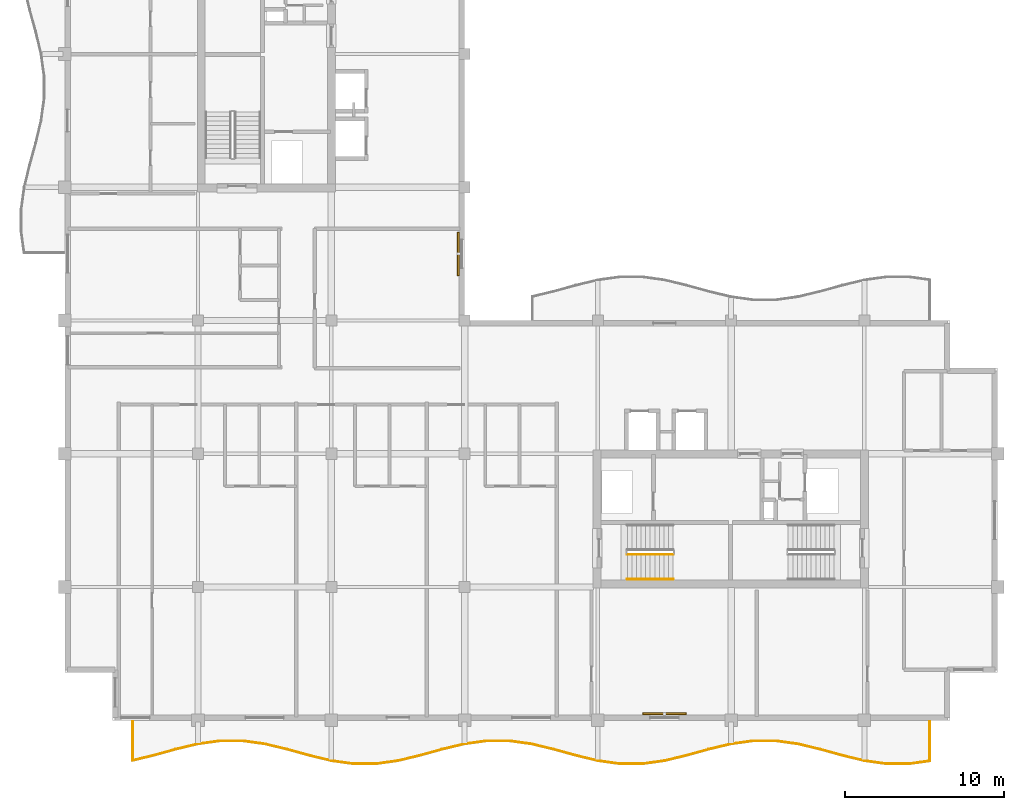
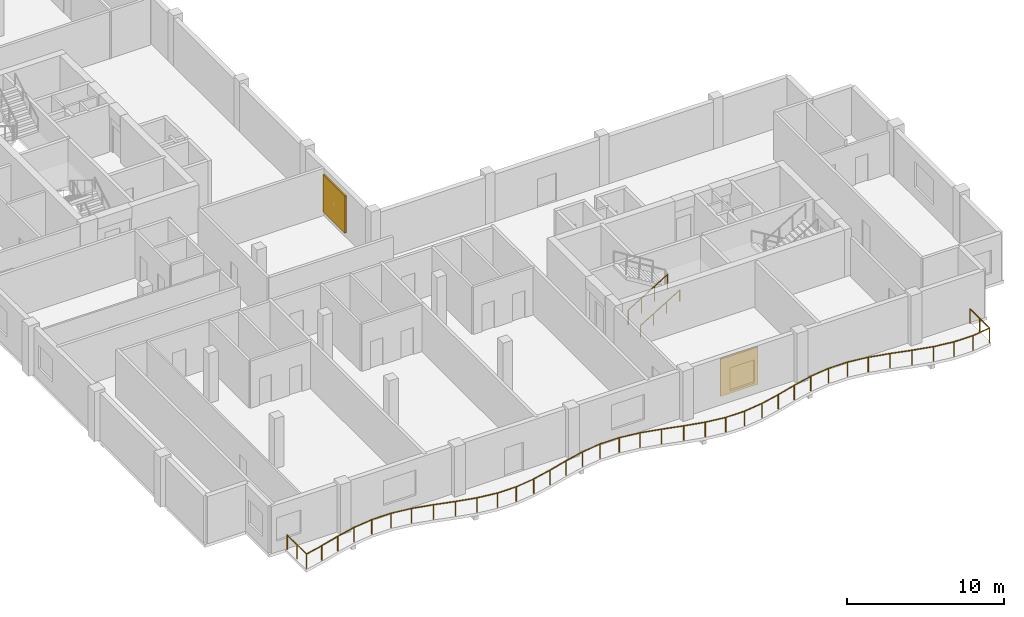
# One storey, part 9 of 11: 3 railings, 2 shading devices.
"""IFC4 building model written with IfcOpenShell, lengths in metres."""

from ifc_helpers import new_model, si_unit, direction, frame, origin, origin_2d, place, context, subcontext, project, spatial, rectangle, circle, extrude, material, layer, layer_set, type_object, element, save


model = new_model("IFC4")

# Units and contexts
model_context = context("Model", 3, precision=1e-05, world=origin(), true_north=direction((0.0, 1.0)))
body_context = subcontext(model_context, "Body", "Model", "MODEL_VIEW")
ifc_project = project(units=[si_unit("LENGTHUNIT", "METRE"), si_unit("AREAUNIT", "SQUARE_METRE"), si_unit("VOLUMEUNIT", "CUBIC_METRE"), si_unit("PLANEANGLEUNIT", "RADIAN"), si_unit("MASSUNIT", "GRAM", prefix="KILO")], contexts=[model_context])

# Site, building, storey
site_placement = place(None, origin())
site = spatial("IfcSite", under=ifc_project, at=site_placement, CompositionType="ELEMENT")
building_placement = place(site_placement, origin())
building = spatial("IfcBuilding", under=site, at=building_placement, Name="Koriwani Terraces Tower", CompositionType="ELEMENT")
storey_placement = place(building_placement, frame((0.0, 0.0, 312.5)))
storey = spatial("IfcBuildingStorey", under=building, at=storey_placement, Name="L77", CompositionType="ELEMENT", Elevation=312.5)

# Railings
ifc_material_1 = material(Name="Steel ASTM A572 Grade 50", Category="steel")
railing_type_1 = type_object("IfcRailingType", Name="GUARD_BALUSTRADE_1150", PredefinedType="BALUSTRADE", material=ifc_material_1)
railing_1_placement = place(storey_placement, frame((12.679931640625, 8.320068359375, 0.0)))
element("IfcRailing", 1, at=railing_1_placement, inside=storey, type_object=railing_type_1, Name="L77 Balcony Perimeter Safety Balustrade (S)", PredefinedType="BALUSTRADE", context=body_context, shape_type="SweptSolid", body=[
    extrude(circle(Radius=0.02392578125, at=origin_2d()), frame((0.0, 0.0, 1.1259765625), z_axis=(0.0, -1.0, 0.0), x_axis=(1.0, 0.0, 0.0)), (0.0, 0.0, 1.0), 2.448974609375),
    extrude(circle(Radius=0.02392578125, at=origin_2d()), frame((0.0, -2.448974609375, 1.1259765625), z_axis=(0.9723458494, 0.233545604015, 0.0), x_axis=(-0.233545604015, 0.9723458494, 0.0)), (0.0, 0.0, 1.0), 1.3369140625),
    extrude(circle(Radius=0.02392578125, at=origin_2d()), frame((1.300048828125, -2.13671875, 1.1259765625), z_axis=(0.963638196753, 0.267210452187, 0.0), x_axis=(-0.267210452187, 0.963638196753, 0.0)), (0.0, 0.0, 1.0), 1.45263671875),
    extrude(circle(Radius=0.02392578125, at=origin_2d()), frame((2.699951171875, -1.74853515625, 1.1259765625), z_axis=(0.972404167631, 0.233302667738, 0.0), x_axis=(-0.233302667738, 0.972404167631, 0.0)), (0.0, 0.0, 1.0), 1.445068359375),
    extrude(circle(Radius=0.02392578125, at=origin_2d()), frame((4.105224609375, -1.411376953125, 1.1259765625), z_axis=(0.990534439774, 0.137264429555, 0.0), x_axis=(-0.137264429555, 0.990534439774, 0.0)), (0.0, 0.0, 1.0), 1.4228515625),
    extrude(circle(Radius=0.02392578125, at=origin_2d()), frame((5.5146484375, -1.216064453125, 1.1259765625), z_axis=(1.0, 0.0, 0.0), x_axis=(0.0, 1.0, 0.0)), (0.0, 0.0, 1.0), 1.410888671875),
    extrude(circle(Radius=0.02392578125, at=origin_2d()), frame((6.925537109375, -1.216064453125, 1.1259765625), z_axis=(0.990534439774, -0.137264429555, 0.0), x_axis=(0.137264429555, 0.990534439774, 0.0)), (0.0, 0.0, 1.0), 1.4228515625),
    extrude(circle(Radius=0.02392578125, at=origin_2d()), frame((8.3349609375, -1.411376953125, 1.1259765625), z_axis=(0.972394970075, -0.233340999769, 0.0), x_axis=(0.233340999769, 0.972394970075, 0.0)), (0.0, 0.0, 1.0), 1.44482421875),
    extrude(circle(Radius=0.02392578125, at=origin_2d()), frame((9.739990234375, -1.74853515625, 1.1259765625), z_axis=(0.963650193341, -0.26716718525, 0.0), x_axis=(0.26716718525, 0.963650193341, 0.0)), (0.0, 0.0, 1.0), 1.452880859375),
    extrude(circle(Radius=0.02392578125, at=origin_2d()), frame((11.14013671875, -2.13671875, 1.1259765625), z_axis=(0.972353303141, -0.233514568862, 0.0), x_axis=(0.233514568862, 0.972353303141, 0.0)), (0.0, 0.0, 1.0), 1.434326171875),
    extrude(circle(Radius=0.02392578125, at=origin_2d()), frame((12.534912109375, -2.4716796875, 1.1259765625), z_axis=(0.990518583157, -0.137378806302, 0.0), x_axis=(0.137378806302, 0.990518583157, 0.0)), (0.0, 0.0, 1.0), 1.404052734375),
    extrude(circle(Radius=0.02392578125, at=origin_2d()), frame((13.925537109375, -2.66455078125, 1.1259765625), z_axis=(1.0, 0.0, 0.0), x_axis=(0.0, 1.0, 0.0)), (0.0, 0.0, 1.0), 1.388916015625),
    extrude(circle(Radius=0.02392578125, at=origin_2d()), frame((15.314453125, -2.66455078125, 1.1259765625), z_axis=(0.990518583157, 0.137378806302, 0.0), x_axis=(-0.137378806302, 0.990518583157, 0.0)), (0.0, 0.0, 1.0), 1.404052734375),
    extrude(circle(Radius=0.02392578125, at=origin_2d()), frame((16.705078125, -2.4716796875, 1.1259765625), z_axis=(0.972362581689, 0.23347592966, 0.0), x_axis=(-0.23347592966, 0.972362581689, 0.0)), (0.0, 0.0, 1.0), 1.4345703125),
    extrude(circle(Radius=0.02392578125, at=origin_2d()), frame((18.10009765625, -2.13671875, 1.1259765625), z_axis=(0.963638196753, 0.267210452187, 0.0), x_axis=(-0.267210452187, 0.963638196753, 0.0)), (0.0, 0.0, 1.0), 1.45263671875),
    extrude(circle(Radius=0.02392578125, at=origin_2d()), frame((19.5, -1.74853515625, 1.1259765625), z_axis=(0.972404167631, 0.233302667738, 0.0), x_axis=(-0.233302667738, 0.972404167631, 0.0)), (0.0, 0.0, 1.0), 1.445068359375),
    extrude(circle(Radius=0.02392578125, at=origin_2d()), frame((20.9052734375, -1.411376953125, 1.1259765625), z_axis=(0.990531206111, 0.137287762455, 0.0), x_axis=(-0.137287762455, 0.990531206111, 0.0)), (0.0, 0.0, 1.0), 1.422607421875),
    extrude(circle(Radius=0.02392578125, at=origin_2d()), frame((22.314453125, -1.216064453125, 1.1259765625), z_axis=(1.0, 0.0, 0.0), x_axis=(0.0, 1.0, 0.0)), (0.0, 0.0, 1.0), 1.4111328125),
    extrude(circle(Radius=0.02392578125, at=origin_2d()), frame((23.7255859375, -1.216064453125, 1.1259765625), z_axis=(0.990531206111, -0.137287762455, 0.0), x_axis=(0.137287762455, 0.990531206111, 0.0)), (0.0, 0.0, 1.0), 1.422607421875),
    extrude(circle(Radius=0.02392578125, at=origin_2d()), frame((25.134765625, -1.411376953125, 1.1259765625), z_axis=(0.972404167631, -0.233302667738, 0.0), x_axis=(0.233302667738, 0.972404167631, 0.0)), (0.0, 0.0, 1.0), 1.445068359375),
    extrude(circle(Radius=0.02392578125, at=origin_2d()), frame((26.5400390625, -1.74853515625, 1.1259765625), z_axis=(0.963650193341, -0.26716718525, 0.0), x_axis=(0.26716718525, 0.963650193341, 0.0)), (0.0, 0.0, 1.0), 1.452880859375),
    extrude(circle(Radius=0.02392578125, at=origin_2d()), frame((27.940185546875, -2.13671875, 1.1259765625), z_axis=(0.972353303141, -0.233514568862, 0.0), x_axis=(0.233514568862, 0.972353303141, 0.0)), (0.0, 0.0, 1.0), 1.434326171875),
    extrude(circle(Radius=0.02392578125, at=origin_2d()), frame((29.3349609375, -2.4716796875, 1.1259765625), z_axis=(0.990518583157, -0.137378806302, 0.0), x_axis=(0.137378806302, 0.990518583157, 0.0)), (0.0, 0.0, 1.0), 1.404052734375),
    extrude(circle(Radius=0.02392578125, at=origin_2d()), frame((30.7255859375, -2.66455078125, 1.1259765625), z_axis=(1.0, 0.0, 0.0), x_axis=(0.0, 1.0, 0.0)), (0.0, 0.0, 1.0), 1.388916015625),
    extrude(circle(Radius=0.02392578125, at=origin_2d()), frame((32.114501953125, -2.66455078125, 1.1259765625), z_axis=(0.990518583157, 0.137378806302, 0.0), x_axis=(-0.137378806302, 0.990518583157, 0.0)), (0.0, 0.0, 1.0), 1.404052734375),
    extrude(circle(Radius=0.02392578125, at=origin_2d()), frame((33.505126953125, -2.4716796875, 1.1259765625), z_axis=(0.972362581689, 0.23347592966, 0.0), x_axis=(-0.23347592966, 0.972362581689, 0.0)), (0.0, 0.0, 1.0), 1.4345703125),
    extrude(circle(Radius=0.02392578125, at=origin_2d()), frame((34.900146484375, -2.13671875, 1.1259765625), z_axis=(0.963638196753, 0.267210452187, 0.0), x_axis=(-0.267210452187, 0.963638196753, 0.0)), (0.0, 0.0, 1.0), 1.45263671875),
    extrude(circle(Radius=0.02392578125, at=origin_2d()), frame((36.300048828125, -1.74853515625, 1.1259765625), z_axis=(0.972404167631, 0.233302667738, 0.0), x_axis=(-0.233302667738, 0.972404167631, 0.0)), (0.0, 0.0, 1.0), 1.445068359375),
    extrude(circle(Radius=0.02392578125, at=origin_2d()), frame((37.705322265625, -1.411376953125, 1.1259765625), z_axis=(0.990531206111, 0.137287762455, 0.0), x_axis=(-0.137287762455, 0.990531206111, 0.0)), (0.0, 0.0, 1.0), 1.422607421875),
    extrude(circle(Radius=0.02392578125, at=origin_2d()), frame((39.114501953125, -1.216064453125, 1.1259765625), z_axis=(1.0, 0.0, 0.0), x_axis=(0.0, 1.0, 0.0)), (0.0, 0.0, 1.0), 1.4111328125),
    extrude(circle(Radius=0.02392578125, at=origin_2d()), frame((40.525634765625, -1.216064453125, 1.1259765625), z_axis=(0.990531206111, -0.137287762455, 0.0), x_axis=(0.137287762455, 0.990531206111, 0.0)), (0.0, 0.0, 1.0), 1.422607421875),
    extrude(circle(Radius=0.02392578125, at=origin_2d()), frame((41.934814453125, -1.411376953125, 1.1259765625), z_axis=(0.972404167631, -0.233302667738, 0.0), x_axis=(0.233302667738, 0.972404167631, 0.0)), (0.0, 0.0, 1.0), 1.445068359375),
    extrude(circle(Radius=0.02392578125, at=origin_2d()), frame((43.340087890625, -1.74853515625, 1.1259765625), z_axis=(0.963638196753, -0.267210452187, 0.0), x_axis=(0.267210452187, 0.963638196753, 0.0)), (0.0, 0.0, 1.0), 1.45263671875),
    extrude(circle(Radius=0.02392578125, at=origin_2d()), frame((44.739990234375, -2.13671875, 1.1259765625), z_axis=(0.972362581689, -0.23347592966, 0.0), x_axis=(0.23347592966, 0.972362581689, 0.0)), (0.0, 0.0, 1.0), 1.4345703125),
    extrude(circle(Radius=0.02392578125, at=origin_2d()), frame((46.135009765625, -2.4716796875, 1.1259765625), z_axis=(0.990518583157, -0.137378806302, 0.0), x_axis=(0.137378806302, 0.990518583157, 0.0)), (0.0, 0.0, 1.0), 1.404052734375),
    extrude(circle(Radius=0.02392578125, at=origin_2d()), frame((47.525634765625, -2.66455078125, 1.1259765625), z_axis=(1.0, 0.0, 0.0), x_axis=(0.0, 1.0, 0.0)), (0.0, 0.0, 1.0), 1.388916015625),
    extrude(circle(Radius=0.02392578125, at=origin_2d()), frame((48.91455078125, -2.66455078125, 1.1259765625), z_axis=(0.990517807296, 0.137384400238, 0.0), x_axis=(-0.137384400238, 0.990517807296, 0.0)), (0.0, 0.0, 1.0), 1.338134765625),
    extrude(circle(Radius=0.02392578125, at=origin_2d()), frame((50.239990234375, -2.480712890625, 1.1259765625), z_axis=(0.0, 1.0, 0.0), x_axis=(-1.0, 0.0, 0.0)), (0.0, 0.0, 1.0), 2.480712890625),
    extrude(circle(Radius=0.02099609375, at=origin_2d()), origin(), (0.0, 0.0, 1.0), 1.101806640625),
    extrude(circle(Radius=0.02099609375, at=origin_2d()), frame((0.0, -1.224609375, 0.0)), (0.0, 0.0, 1.0), 1.101806640625),
    extrude(circle(Radius=0.02099609375, at=origin_2d()), frame((0.0, -2.448974609375, 0.0)), (0.0, 0.0, 1.0), 1.101806640625),
    extrude(circle(Radius=0.02099609375, at=origin_2d()), frame((1.300048828125, -2.13671875, 0.0)), (0.0, 0.0, 1.0), 1.101806640625),
    extrude(circle(Radius=0.02099609375, at=origin_2d()), frame((2.699951171875, -1.74853515625, 0.0)), (0.0, 0.0, 1.0), 1.101806640625),
    extrude(circle(Radius=0.02099609375, at=origin_2d()), frame((4.105224609375, -1.411376953125, 0.0)), (0.0, 0.0, 1.0), 1.101806640625),
    extrude(circle(Radius=0.02099609375, at=origin_2d()), frame((5.5146484375, -1.216064453125, 0.0)), (0.0, 0.0, 1.0), 1.101806640625),
    extrude(circle(Radius=0.02099609375, at=origin_2d()), frame((6.925537109375, -1.216064453125, 0.0)), (0.0, 0.0, 1.0), 1.101806640625),
    extrude(circle(Radius=0.02099609375, at=origin_2d()), frame((8.3349609375, -1.411376953125, 0.0)), (0.0, 0.0, 1.0), 1.101806640625),
    extrude(circle(Radius=0.02099609375, at=origin_2d()), frame((9.739990234375, -1.74853515625, 0.0)), (0.0, 0.0, 1.0), 1.101806640625),
    extrude(circle(Radius=0.02099609375, at=origin_2d()), frame((11.14013671875, -2.13671875, 0.0)), (0.0, 0.0, 1.0), 1.101806640625),
    extrude(circle(Radius=0.02099609375, at=origin_2d()), frame((12.534912109375, -2.4716796875, 0.0)), (0.0, 0.0, 1.0), 1.101806640625),
    extrude(circle(Radius=0.02099609375, at=origin_2d()), frame((13.925537109375, -2.66455078125, 0.0)), (0.0, 0.0, 1.0), 1.101806640625),
    extrude(circle(Radius=0.02099609375, at=origin_2d()), frame((15.314453125, -2.66455078125, 0.0)), (0.0, 0.0, 1.0), 1.101806640625),
    extrude(circle(Radius=0.02099609375, at=origin_2d()), frame((16.705078125, -2.4716796875, 0.0)), (0.0, 0.0, 1.0), 1.101806640625),
    extrude(circle(Radius=0.02099609375, at=origin_2d()), frame((18.10009765625, -2.13671875, 0.0)), (0.0, 0.0, 1.0), 1.101806640625),
    extrude(circle(Radius=0.02099609375, at=origin_2d()), frame((19.5, -1.74853515625, 0.0)), (0.0, 0.0, 1.0), 1.101806640625),
    extrude(circle(Radius=0.02099609375, at=origin_2d()), frame((20.9052734375, -1.411376953125, 0.0)), (0.0, 0.0, 1.0), 1.101806640625),
    extrude(circle(Radius=0.02099609375, at=origin_2d()), frame((22.314453125, -1.216064453125, 0.0)), (0.0, 0.0, 1.0), 1.101806640625),
    extrude(circle(Radius=0.02099609375, at=origin_2d()), frame((23.7255859375, -1.216064453125, 0.0)), (0.0, 0.0, 1.0), 1.101806640625),
    extrude(circle(Radius=0.02099609375, at=origin_2d()), frame((25.134765625, -1.411376953125, 0.0)), (0.0, 0.0, 1.0), 1.101806640625),
    extrude(circle(Radius=0.02099609375, at=origin_2d()), frame((26.5400390625, -1.74853515625, 0.0)), (0.0, 0.0, 1.0), 1.101806640625),
    extrude(circle(Radius=0.02099609375, at=origin_2d()), frame((27.940185546875, -2.13671875, 0.0)), (0.0, 0.0, 1.0), 1.101806640625),
    extrude(circle(Radius=0.02099609375, at=origin_2d()), frame((29.3349609375, -2.4716796875, 0.0)), (0.0, 0.0, 1.0), 1.101806640625),
    extrude(circle(Radius=0.02099609375, at=origin_2d()), frame((30.7255859375, -2.66455078125, 0.0)), (0.0, 0.0, 1.0), 1.101806640625),
    extrude(circle(Radius=0.02099609375, at=origin_2d()), frame((32.114501953125, -2.66455078125, 0.0)), (0.0, 0.0, 1.0), 1.101806640625),
    extrude(circle(Radius=0.02099609375, at=origin_2d()), frame((33.505126953125, -2.4716796875, 0.0)), (0.0, 0.0, 1.0), 1.101806640625),
    extrude(circle(Radius=0.02099609375, at=origin_2d()), frame((34.900146484375, -2.13671875, 0.0)), (0.0, 0.0, 1.0), 1.101806640625),
    extrude(circle(Radius=0.02099609375, at=origin_2d()), frame((36.300048828125, -1.74853515625, 0.0)), (0.0, 0.0, 1.0), 1.101806640625),
    extrude(circle(Radius=0.02099609375, at=origin_2d()), frame((37.705322265625, -1.411376953125, 0.0)), (0.0, 0.0, 1.0), 1.101806640625),
    extrude(circle(Radius=0.02099609375, at=origin_2d()), frame((39.114501953125, -1.216064453125, 0.0)), (0.0, 0.0, 1.0), 1.101806640625),
    extrude(circle(Radius=0.02099609375, at=origin_2d()), frame((40.525634765625, -1.216064453125, 0.0)), (0.0, 0.0, 1.0), 1.101806640625),
    extrude(circle(Radius=0.02099609375, at=origin_2d()), frame((41.934814453125, -1.411376953125, 0.0)), (0.0, 0.0, 1.0), 1.101806640625),
    extrude(circle(Radius=0.02099609375, at=origin_2d()), frame((43.340087890625, -1.74853515625, 0.0)), (0.0, 0.0, 1.0), 1.101806640625),
    extrude(circle(Radius=0.02099609375, at=origin_2d()), frame((44.739990234375, -2.13671875, 0.0)), (0.0, 0.0, 1.0), 1.101806640625),
    extrude(circle(Radius=0.02099609375, at=origin_2d()), frame((46.135009765625, -2.4716796875, 0.0)), (0.0, 0.0, 1.0), 1.101806640625),
    extrude(circle(Radius=0.02099609375, at=origin_2d()), frame((47.525634765625, -2.66455078125, 0.0)), (0.0, 0.0, 1.0), 1.101806640625),
    extrude(circle(Radius=0.02099609375, at=origin_2d()), frame((48.91455078125, -2.66455078125, 0.0)), (0.0, 0.0, 1.0), 1.101806640625),
    extrude(circle(Radius=0.02099609375, at=origin_2d()), frame((50.239990234375, -2.480712890625, 0.0)), (0.0, 0.0, 1.0), 1.101806640625),
    extrude(circle(Radius=0.02099609375, at=origin_2d()), frame((50.239990234375, -1.240234375, 0.0)), (0.0, 0.0, 1.0), 1.101806640625),
    extrude(circle(Radius=0.02099609375, at=origin_2d()), frame((50.239990234375, 0.0, 0.0)), (0.0, 0.0, 1.0), 1.101806640625),
])
railing_type_2 = type_object("IfcRailingType", Name="GUARD_STAIR_WELL_1120", PredefinedType="GUARDRAIL", material=ifc_material_1)
railing_2_placement = place(storey_placement, frame((43.85009765625, 18.85009765625, 0.17724609375)))
element("IfcRailing", 2, at=railing_2_placement, inside=storey, type_object=railing_type_2, Name="L77 ST-E1 stair guard 1", PredefinedType="GUARDRAIL", context=body_context, shape_type="SweptSolid", body=[
    extrude(circle(Radius=0.02392578125, at=origin_2d()), frame((0.0, 0.0, 1.1259765625), z_axis=(0.853210801645, 0.0, 0.521566225858), x_axis=(0.0, 1.0, 0.0)), (0.0, 0.0, 1.0), 3.39892578125),
    extrude(circle(Radius=0.02099609375, at=origin_2d()), origin(), (0.0, 0.0, 1.0), 1.101806640625),
    extrude(circle(Radius=0.02099609375, at=origin_2d()), frame((0.966552734375, 0.0, 0.5908203125)), (0.0, 0.0, 1.0), 1.101806640625),
    extrude(circle(Radius=0.02099609375, at=origin_2d()), frame((1.933349609375, 0.0, 1.181884765625)), (0.0, 0.0, 1.0), 1.101806640625),
    extrude(circle(Radius=0.02099609375, at=origin_2d()), frame((2.89990234375, 0.0, 1.772705078125)), (0.0, 0.0, 1.0), 1.101806640625),
])
railing_type_3 = type_object("IfcRailingType", Name="HANDRAIL_STAIR_920", PredefinedType="HANDRAIL", material=ifc_material_1)
railing_3_placement = place(storey_placement, frame((43.85009765625, 17.300048828125, 0.17724609375)))
element("IfcRailing", 3, at=railing_3_placement, inside=storey, type_object=railing_type_3, Name="L77 ST-E1 stair handrail 1", PredefinedType="HANDRAIL", context=body_context, shape_type="SweptSolid", body=[
    extrude(circle(Radius=0.02392578125, at=origin_2d()), frame((0.0, 0.0, 0.8759765625), z_axis=(0.853210801645, 0.0, 0.521566225858), x_axis=(0.0, 1.0, 0.0)), (0.0, 0.0, 1.0), 3.39892578125),
    extrude(circle(Radius=0.02099609375, at=origin_2d()), origin(), (0.0, 0.0, 1.0), 0.851806640625),
    extrude(circle(Radius=0.02099609375, at=origin_2d()), frame((0.966552734375, 0.0, 0.5908203125)), (0.0, 0.0, 1.0), 0.851806640625),
    extrude(circle(Radius=0.02099609375, at=origin_2d()), frame((1.933349609375, 0.0, 1.181884765625)), (0.0, 0.0, 1.0), 0.851806640625),
    extrude(circle(Radius=0.02099609375, at=origin_2d()), frame((2.89990234375, 0.0, 1.772705078125)), (0.0, 0.0, 1.0), 0.851806640625),
])

# Shading devices
ifc_material_2 = material(Name="Extruded Terracotta Clay", Category="masonry")
ifc_layer = layer(ifc_material_2, 0.1201171875, Name="Extruded Terracotta Clay")
ifc_layer_set = layer_set([ifc_layer], Name="Extruded Terracotta Clay")
shading_device_type = type_object("IfcShadingDeviceType", Name="TERRACOTTA_BAGUETTE_SCREEN_2800", PredefinedType="USERDEFINED", material=ifc_layer_set)
for number, where, z_axis, x_axis, name in (
    (4, (33.195068359375, 37.800048828125, 0.385009765625), (0.0, 0.0, 1.0), (0.0, -1.0, 0.0), "L77 Extruded Terracotta Baguette Screen (NW_IN-2)"),
    (5, (46.199951171875, 8.804931640625, 0.385009765625), (0.0, 0.0, 1.0), (-1.0, 0.0, 0.0), "L77 Extruded Terracotta Baguette Screen (S-12)"),
):
    element("IfcShadingDevice", number, at=place(storey_placement, frame(where, z_axis=z_axis, x_axis=x_axis)), inside=storey, type_object=shading_device_type, Name=name, ObjectType="BAGUETTE", PredefinedType="USERDEFINED", context=body_context, shape_type="SweptSolid", body=[
        extrude(rectangle(XDim=2.760009765625, YDim=0.1201171875, at=origin_2d()), origin(), (0.0, 0.0, 1.0), 2.89990234375),
    ])

save(model, "model.ifc")
